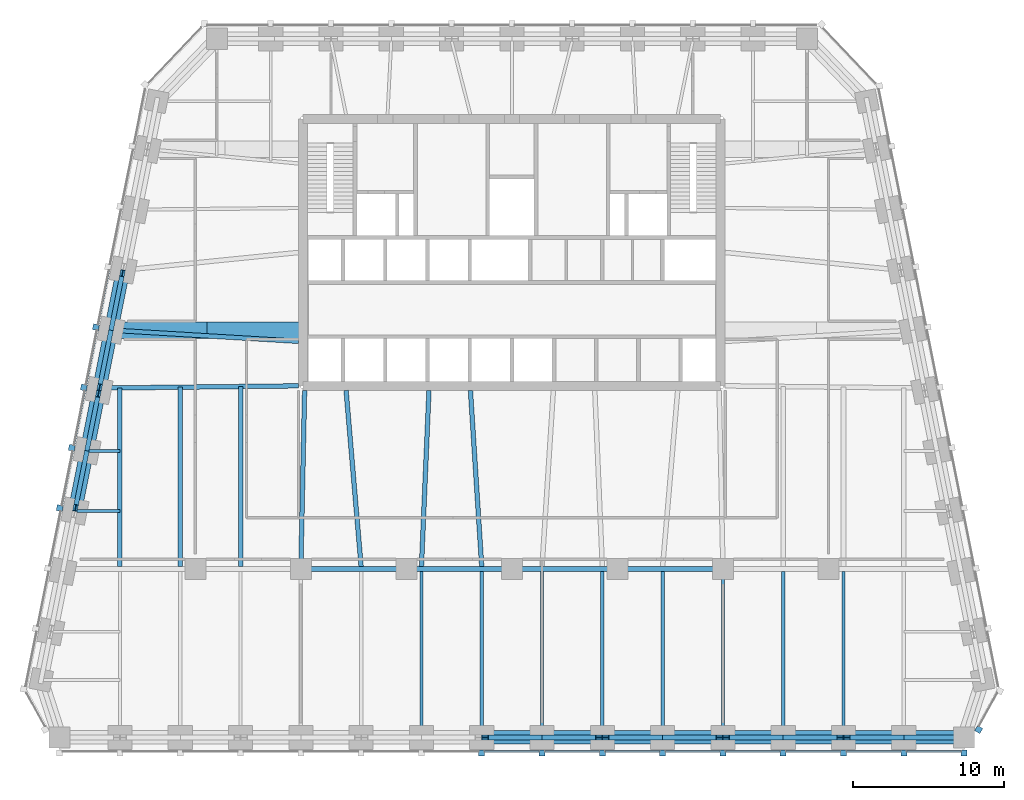
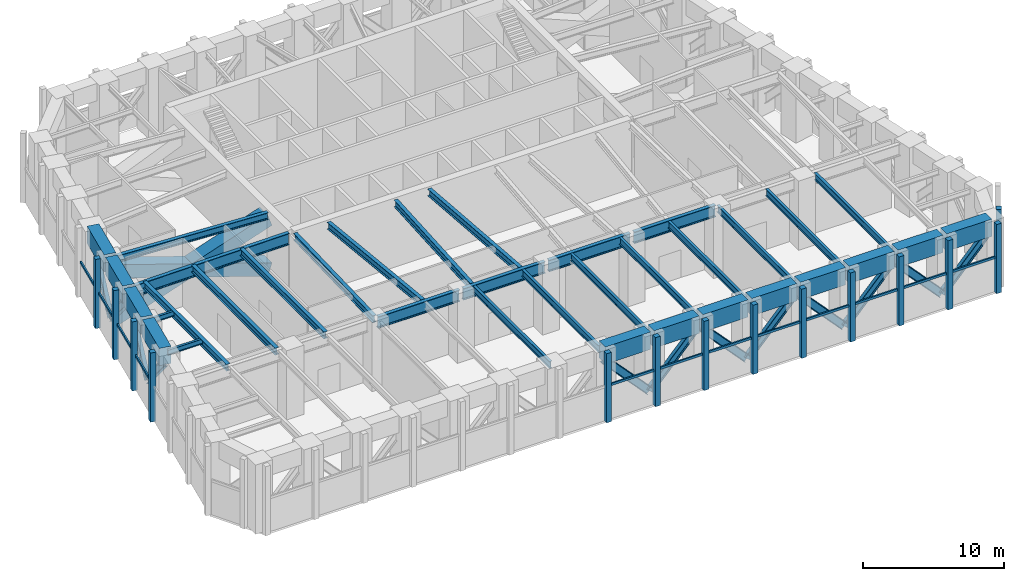
# One storey, part 2 of 9: 40 members, 35 beams, 3 elements without a shape of their own.
"""IFC4 building model written with IfcOpenShell, lengths in metres."""

from ifc_helpers import new_model, si_unit, direction, frame, origin, origin_2d, place, context, subcontext, project, spatial, rectangle, hollow_rectangle, i_section, extrude, material, material_profile, profile_set, type_object, element, aggregate, save


model = new_model("IFC4")

# Units and contexts
model_context = context("Model", 3, precision=1e-05, world=origin(), true_north=direction((0.0, 1.0)))
body_context = subcontext(model_context, "Body", "Model", "MODEL_VIEW")
ifc_project = project(units=[si_unit("LENGTHUNIT", "METRE"), si_unit("AREAUNIT", "SQUARE_METRE"), si_unit("VOLUMEUNIT", "CUBIC_METRE"), si_unit("PLANEANGLEUNIT", "RADIAN"), si_unit("MASSUNIT", "GRAM", prefix="KILO")], contexts=[model_context])

# Site, building, storey
site_placement = place(None, origin())
site = spatial("IfcSite", under=ifc_project, at=site_placement, CompositionType="ELEMENT")
building_placement = place(site_placement, origin())
building = spatial("IfcBuilding", under=site, at=building_placement, Name="Isbrekke Arena Tower", CompositionType="ELEMENT")
storey_placement = place(building_placement, frame((0.0, 0.0, 242.0)))
storey = spatial("IfcBuildingStorey", under=building, at=storey_placement, Name="L56", CompositionType="ELEMENT", Elevation=242.0)

# Beams
ifc_material_1 = material(Name="Steel S355", Category="steel")
ifc_material_profile_1 = material_profile(ifc_material_1, i_section(OverallWidth=0.219970703125, OverallDepth=0.60009765625, WebThickness=0.011962890625, FlangeThickness=0.01904296875, FilletRadius=0.02392578125, at=origin_2d()), Name="IPE 600")
ifc_profile_set_1 = profile_set([ifc_material_profile_1], Name="Steel S355")
beam_type_1 = type_object("IfcBeamType", Name="B1 IPE 600", PredefinedType="BEAM", material=ifc_profile_set_1)
for number, where, z_axis, x_axis, name in (
    (1, (-6.0, -17.02490234375, 5.550048828125), (0.0, 1.0, 0.0), (-1.0, 0.0, 0.0), "B1 beam S-S07 L56"),
    (2, (-2.0, -17.02490234375, 5.550048828125), (0.0, 1.0, 0.0), (-1.0, 0.0, 0.0), "B1 beam S-S08 L56"),
    (3, (2.0, -17.02490234375, 5.550048828125), (0.0, 1.0, 0.0), (-1.0, 0.0, 0.0), "B1 beam S-S09 L56"),
    (4, (6.0, -17.02490234375, 5.550048828125), (0.0, 1.0, 0.0), (-1.0, 0.0, 0.0), "B1 beam S-S10 L56"),
    (5, (10.0, -17.02490234375, 5.550048828125), (0.0, 1.0, 0.0), (-1.0, 0.0, 0.0), "B1 beam S-S11 L56"),
):
    element("IfcBeam", number, at=place(storey_placement, frame(where, z_axis=z_axis, x_axis=x_axis)), inside=storey, type_object=beam_type_1, Name=name, PredefinedType="BEAM", context=body_context, shape_type="SweptSolid", body=[
        extrude(i_section(OverallWidth=0.219970703125, OverallDepth=0.60009765625, WebThickness=0.011962890625, FlangeThickness=0.01904296875, FilletRadius=0.02392578125, at=origin_2d()), origin(), (0.0, 0.0, 1.0), 10.8740234375),
    ])
beam_1_placement = place(storey_placement, frame((14.0, -17.02490234375, 5.550048828125), z_axis=(0.0, 1.0, 0.0), x_axis=(-1.0, 0.0, 0.0)))
element("IfcBeam", 6, at=beam_1_placement, inside=storey, type_object=beam_type_1, Name="B1 beam S-S12 L56", PredefinedType="BEAM", context=body_context, shape_type="SweptSolid", body=[
    extrude(i_section(OverallWidth=0.219970703125, OverallDepth=0.60009765625, WebThickness=0.011962890625, FlangeThickness=0.01904296875, FilletRadius=0.02392578125, at=origin_2d()), origin(), (0.0, 0.0, 1.0), 10.875),
])
for number, where, z_axis, x_axis, name in (
    (7, (18.0, -17.02490234375, 5.550048828125), (0.0, 1.0, 0.0), (-1.0, 0.0, 0.0), "B1 beam S-S13 L56"),
    (8, (22.0, -17.02490234375, 5.550048828125), (0.0, 1.0, 0.0), (-1.0, 0.0, 0.0), "B1 beam S-S14 L56"),
):
    element("IfcBeam", number, at=place(storey_placement, frame(where, z_axis=z_axis, x_axis=x_axis)), inside=storey, type_object=beam_type_1, Name=name, PredefinedType="BEAM", context=body_context, shape_type="SweptSolid", body=[
        extrude(i_section(OverallWidth=0.219970703125, OverallDepth=0.60009765625, WebThickness=0.011962890625, FlangeThickness=0.01904296875, FilletRadius=0.02392578125, at=origin_2d()), origin(), (0.0, 0.0, 1.0), 10.8740234375),
    ])
ifc_material_2 = material(Name="Steel S355", Category="steel")
ifc_material_profile_2 = material_profile(ifc_material_2, i_section(OverallWidth=0.18994140625, OverallDepth=0.449951171875, WebThickness=0.009521484375, FlangeThickness=0.0146484375, FilletRadius=0.02099609375, at=origin_2d()), Name="IPE 450")
ifc_profile_set_2 = profile_set([ifc_material_profile_2], Name="Steel S355")
beam_type_2 = type_object("IfcBeamType", Name="B2 IPE 450", PredefinedType="BEAM", material=ifc_profile_set_2)
beam_2_placement = place(storey_placement, frame((-28.041015625, 1.838134765625, 5.625), z_axis=(1.0, 0.0, 0.0), x_axis=(0.0, 1.0, 0.0)))
element("IfcBeam", 9, at=beam_2_placement, inside=storey, type_object=beam_type_2, Name="B2 beam E-W07 L56", PredefinedType="BEAM", context=body_context, shape_type="SweptSolid", body=[
    extrude(i_section(OverallWidth=0.18994140625, OverallDepth=0.449951171875, WebThickness=0.009521484375, FlangeThickness=0.0146484375, FilletRadius=0.02099609375, at=origin_2d()), origin(), (0.0, 0.0, 1.0), 2.041015625),
])
beam_3_placement = place(storey_placement, frame((-28.841064453125, -2.161865234375, 5.625), z_axis=(1.0, 0.0, 0.0), x_axis=(0.0, 1.0, 0.0)))
element("IfcBeam", 10, at=beam_3_placement, inside=storey, type_object=beam_type_2, Name="B2 beam E-W08 L56", PredefinedType="BEAM", context=body_context, shape_type="SweptSolid", body=[
    extrude(i_section(OverallWidth=0.18994140625, OverallDepth=0.449951171875, WebThickness=0.009521484375, FlangeThickness=0.0146484375, FilletRadius=0.02099609375, at=origin_2d()), origin(), (0.0, 0.0, 1.0), 2.841064453125),
])
ifc_material_3 = material(Name="Steel S355", Category="steel")
ifc_material_profile_3 = material_profile(ifc_material_3, i_section(OverallWidth=0.300048828125, OverallDepth=0.60009765625, WebThickness=0.015380859375, FlangeThickness=0.030029296875, FilletRadius=0.027099609375, at=origin_2d()), Name="HEB 600")
ifc_profile_set_3 = profile_set([ifc_material_profile_3], Name="Steel S355")
beam_type_3 = type_object("IfcBeamType", Name="B7 HEB 600", PredefinedType="BEAM", material=ifc_profile_set_3)
beam_4_placement = place(storey_placement, frame((-26.0, -5.84912109375, 5.550048828125), z_axis=(0.0, 1.0, 0.0), x_axis=(-1.0, 0.0, 0.0)))
element("IfcBeam", 11, at=beam_4_placement, inside=storey, type_object=beam_type_3, Name="B7 beam C-M01 L56", PredefinedType="BEAM", context=body_context, shape_type="SweptSolid", body=[
    extrude(i_section(OverallWidth=0.300048828125, OverallDepth=0.60009765625, WebThickness=0.015380859375, FlangeThickness=0.030029296875, FilletRadius=0.027099609375, at=origin_2d()), origin(), (0.0, 0.0, 1.0), 11.864990234375),
])
beam_5_placement = place(storey_placement, frame((-22.0, -5.84912109375, 5.550048828125), z_axis=(0.0, 1.0, 0.0), x_axis=(-1.0, 0.0, 0.0)))
element("IfcBeam", 12, at=beam_5_placement, inside=storey, type_object=beam_type_3, Name="B7 beam C-M02 L56", PredefinedType="BEAM", context=body_context, shape_type="SweptSolid", body=[
    extrude(i_section(OverallWidth=0.300048828125, OverallDepth=0.60009765625, WebThickness=0.015380859375, FlangeThickness=0.030029296875, FilletRadius=0.027099609375, at=origin_2d()), origin(), (0.0, 0.0, 1.0), 11.91015625),
])
beam_6_placement = place(storey_placement, frame((-18.0, -5.84912109375, 5.550048828125), z_axis=(0.0, 1.0, 0.0), x_axis=(-1.0, 0.0, 0.0)))
element("IfcBeam", 13, at=beam_6_placement, inside=storey, type_object=beam_type_3, Name="B7 beam C-M03 L56", PredefinedType="BEAM", context=body_context, shape_type="SweptSolid", body=[
    extrude(i_section(OverallWidth=0.300048828125, OverallDepth=0.60009765625, WebThickness=0.015380859375, FlangeThickness=0.030029296875, FilletRadius=0.027099609375, at=origin_2d()), origin(), (0.0, 0.0, 1.0), 11.95556640625),
])
beam_7_placement = place(storey_placement, frame((-14.0, -5.8466796875, 5.550048828125), z_axis=(0.021368528218, 0.999771666933, 0.0), x_axis=(-0.999771666933, 0.021368528218, 0.0)))
element("IfcBeam", 14, at=beam_7_placement, inside=storey, type_object=beam_type_3, Name="B7 beam C-M04 L56", PredefinedType="BEAM", context=body_context, shape_type="SweptSolid", body=[
    extrude(i_section(OverallWidth=0.300048828125, OverallDepth=0.60009765625, WebThickness=0.015380859375, FlangeThickness=0.030029296875, FilletRadius=0.027099609375, at=origin_2d()), origin(), (0.0, 0.0, 1.0), 11.699462890625),
])
beam_8_placement = place(storey_placement, frame((-10.0009765625, -5.836181640625, 5.550048828125), z_axis=(-0.085176202372, 0.996365903948, 0.0), x_axis=(-0.996365903948, -0.085176202372, 0.0)))
element("IfcBeam", 15, at=beam_8_placement, inside=storey, type_object=beam_type_3, Name="B7 beam C-M05 L56", PredefinedType="BEAM", context=body_context, shape_type="SweptSolid", body=[
    extrude(i_section(OverallWidth=0.300048828125, OverallDepth=0.60009765625, WebThickness=0.015380859375, FlangeThickness=0.030029296875, FilletRadius=0.027099609375, at=origin_2d()), origin(), (0.0, 0.0, 1.0), 11.72900390625),
])
beam_9_placement = place(storey_placement, frame((-5.999755859375, -5.842529296875, 5.550048828125), z_axis=(0.042702124015, 0.999087848292, 0.0), x_axis=(-0.999087848292, 0.042702124015, 0.0)))
element("IfcBeam", 16, at=beam_9_placement, inside=storey, type_object=beam_type_3, Name="B7 beam C-M06 L56", PredefinedType="BEAM", context=body_context, shape_type="SweptSolid", body=[
    extrude(i_section(OverallWidth=0.300048828125, OverallDepth=0.60009765625, WebThickness=0.015380859375, FlangeThickness=0.030029296875, FilletRadius=0.027099609375, at=origin_2d()), origin(), (0.0, 0.0, 1.0), 11.703369140625),
])
beam_10_placement = place(storey_placement, frame((-2.000732421875, -5.83935546875, 5.550048828125), z_axis=(-0.063966475255, 0.997952047968, 0.0), x_axis=(-0.997952047968, -0.063966475255, 0.0)))
element("IfcBeam", 17, at=beam_10_placement, inside=storey, type_object=beam_type_3, Name="B7 beam C-M07 L56", PredefinedType="BEAM", context=body_context, shape_type="SweptSolid", body=[
    extrude(i_section(OverallWidth=0.300048828125, OverallDepth=0.60009765625, WebThickness=0.015380859375, FlangeThickness=0.030029296875, FilletRadius=0.027099609375, at=origin_2d()), origin(), (0.0, 0.0, 1.0), 11.71337890625),
])
beam_11_placement = place(storey_placement, frame((-26.43212890625, 9.837646484375, 5.550048828125), z_axis=(0.998201854902, -0.059942112659, 0.0), x_axis=(0.059942112659, 0.998201854902, 0.0)))
element("IfcBeam", 18, at=beam_11_placement, inside=storey, type_object=beam_type_3, Name="B7 beam E-W05 L56", PredefinedType="BEAM", context=body_context, shape_type="SweptSolid", body=[
    extrude(i_section(OverallWidth=0.300048828125, OverallDepth=0.60009765625, WebThickness=0.015380859375, FlangeThickness=0.030029296875, FilletRadius=0.027099609375, at=origin_2d()), origin(), (0.0, 0.0, 1.0), 12.304443359375),
])

# Members
ifc_material_4 = material(Name="Steel S355", Category="steel")
ifc_material_profile_4 = material_profile(ifc_material_4, i_section(OverallWidth=0.304931640625, OverallDepth=0.6201171875, WebThickness=0.02099609375, FlangeThickness=0.0400390625, FilletRadius=0.027099609375, at=origin_2d()), Name="HEM 600")
ifc_profile_set_4 = profile_set([ifc_material_profile_4], Name="Steel S355")
member_type_1 = type_object("IfcMemberType", Name="BT1 HEM 600", PredefinedType="BRACE", material=ifc_profile_set_4)
for number, where, z_axis, x_axis, name in (
    (19, (-1.781982421875, -17.175048828125, 4.66552734375), (0.681122032107, 0.0, -0.732169910183), (0.0, 1.0, 0.0), "BT1 belt truss diagonal S08 L56"),
    (20, (2.0, -17.175048828125, 0.60009765625), (0.681122032107, 0.0, 0.732169910183), (0.0, 1.0, 0.0), "BT1 belt truss diagonal S09 L56"),
    (21, (6.218017578125, -17.175048828125, 4.66552734375), (0.681122032107, 0.0, -0.732169910183), (0.0, 1.0, 0.0), "BT1 belt truss diagonal S10 L56"),
    (22, (10.0, -17.175048828125, 0.60009765625), (0.681122032107, 0.0, 0.732169910183), (0.0, 1.0, 0.0), "BT1 belt truss diagonal S11 L56"),
    (23, (14.218017578125, -17.175048828125, 4.66552734375), (0.681122032107, 0.0, -0.732169910183), (0.0, 1.0, 0.0), "BT1 belt truss diagonal S12 L56"),
    (24, (18.0, -17.175048828125, 0.60009765625), (0.681122032107, 0.0, 0.732169910183), (0.0, 1.0, 0.0), "BT1 belt truss diagonal S13 L56"),
    (25, (22.218017578125, -17.175048828125, 4.66552734375), (0.681122032107, 0.0, -0.732169910183), (0.0, 1.0, 0.0), "BT1 belt truss diagonal S14 L56"),
    (26, (26.0, -17.175048828125, 0.60009765625), (0.681122032107, 0.0, 0.732169910183), (0.0, 1.0, 0.0), "BT1 belt truss diagonal S15 L56"),
):
    element("IfcMember", number, at=place(storey_placement, frame(where, z_axis=z_axis, x_axis=x_axis)), inside=storey, type_object=member_type_1, Name=name, PredefinedType="BRACE", context=body_context, shape_type="SweptSolid", body=[
        extrude(i_section(OverallWidth=0.304931640625, OverallDepth=0.6201171875, WebThickness=0.02099609375, FlangeThickness=0.0400390625, FilletRadius=0.027099609375, at=origin_2d()), origin(), (0.0, 0.0, 1.0), 5.552490234375),
    ])
for number, where, z_axis, x_axis, name in (
    (27, (-25.833984375, 13.62353515625, 4.66943359375), (-0.134973713861, -0.674868569303, -0.725489152734), (0.980580675691, -0.196116135138, 0.0), "BT1 belt truss diagonal W04 L56"),
    (28, (-26.591064453125, 9.838134765625, 0.60009765625), (-0.134973713861, -0.674868569303, 0.725489152734), (0.980580675691, -0.196116135138, 0.0), "BT1 belt truss diagonal W05 L56"),
    (29, (-27.433837890625, 5.62353515625, 4.66943359375), (-0.134973713861, -0.674868569303, -0.725489152734), (0.980580675691, -0.196116135138, 0.0), "BT1 belt truss diagonal W06 L56"),
    (30, (-28.19091796875, 1.838134765625, 0.60009765625), (-0.134973713861, -0.674868569303, 0.725489152734), (0.980580675691, -0.196116135138, 0.0), "BT1 belt truss diagonal W07 L56"),
):
    element("IfcMember", number, at=place(storey_placement, frame(where, z_axis=z_axis, x_axis=x_axis)), inside=storey, type_object=member_type_1, Name=name, PredefinedType="BRACE", context=body_context, shape_type="SweptSolid", body=[
        extrude(i_section(OverallWidth=0.304931640625, OverallDepth=0.6201171875, WebThickness=0.02099609375, FlangeThickness=0.0400390625, FilletRadius=0.027099609375, at=origin_2d()), origin(), (0.0, 0.0, 1.0), 5.609130859375),
    ])

# Curtain wall, members
ifc_material_5 = material(Name="Glazed aluminium curtain wall", Category="aluminium")
curtain_wall_type = type_object("IfcCurtainWallType", Name="CWR PLANT LOUVRE WALL", PredefinedType="USERDEFINED", material=ifc_material_5)
curtain_wall_1_placement = place(storey_placement, origin())
curtain_wall_1 = element("IfcCurtainWall", 31, at=curtain_wall_1_placement, inside=storey, type_object=curtain_wall_type, Name="CWR curtain wall L56-S", ObjectType="PLANT LOUVRE WALL", PredefinedType="USERDEFINED")
ifc_material_6 = material(Name="Aluminium mullion, pale brick slip cladding", Category="masonry")
ifc_material_profile_5 = material_profile(ifc_material_6, rectangle(XDim=0.39990234375, YDim=0.39990234375, at=origin_2d()), Name="PIER 400X400")
ifc_profile_set_5 = profile_set([ifc_material_profile_5], Name="Aluminium mullion, pale brick slip cladding")
member_type_2 = type_object("IfcMemberType", Name="CWR-M PIER MULLION 400 x 400", PredefinedType="MULLION", material=ifc_profile_set_5)
member_1_placement = place(storey_placement, frame((-2.0, -18.199951171875, 0.0), z_axis=(0.0, 0.0, 1.0), x_axis=(1.0, 0.0, 0.0)))
member_1 = element("IfcMember", 32, at=member_1_placement, type_object=member_type_2, Name="CWR-M mullion 8", PredefinedType="MULLION", context=body_context, shape_type="SweptSolid", body=[
    extrude(rectangle(XDim=0.39990234375, YDim=0.39990234375, at=origin_2d()), origin(), (0.0, 0.0, 1.0), 6.0),
])
member_2_placement = place(storey_placement, frame((2.0, -18.199951171875, 0.0), z_axis=(0.0, 0.0, 1.0), x_axis=(1.0, 0.0, 0.0)))
member_2 = element("IfcMember", 33, at=member_2_placement, type_object=member_type_2, Name="CWR-M mullion 9", PredefinedType="MULLION", context=body_context, shape_type="SweptSolid", body=[
    extrude(rectangle(XDim=0.39990234375, YDim=0.39990234375, at=origin_2d()), origin(), (0.0, 0.0, 1.0), 6.0),
])
member_3_placement = place(storey_placement, frame((6.0, -18.199951171875, 0.0), z_axis=(0.0, 0.0, 1.0), x_axis=(1.0, 0.0, 0.0)))
member_3 = element("IfcMember", 34, at=member_3_placement, type_object=member_type_2, Name="CWR-M mullion 10", PredefinedType="MULLION", context=body_context, shape_type="SweptSolid", body=[
    extrude(rectangle(XDim=0.39990234375, YDim=0.39990234375, at=origin_2d()), origin(), (0.0, 0.0, 1.0), 6.0),
])
member_4_placement = place(storey_placement, frame((10.0, -18.199951171875, 0.0), z_axis=(0.0, 0.0, 1.0), x_axis=(1.0, 0.0, 0.0)))
member_4 = element("IfcMember", 35, at=member_4_placement, type_object=member_type_2, Name="CWR-M mullion 11", PredefinedType="MULLION", context=body_context, shape_type="SweptSolid", body=[
    extrude(rectangle(XDim=0.39990234375, YDim=0.39990234375, at=origin_2d()), origin(), (0.0, 0.0, 1.0), 6.0),
])
member_5_placement = place(storey_placement, frame((14.0, -18.199951171875, 0.0), z_axis=(0.0, 0.0, 1.0), x_axis=(1.0, 0.0, 0.0)))
member_5 = element("IfcMember", 36, at=member_5_placement, type_object=member_type_2, Name="CWR-M mullion 12", PredefinedType="MULLION", context=body_context, shape_type="SweptSolid", body=[
    extrude(rectangle(XDim=0.39990234375, YDim=0.39990234375, at=origin_2d()), origin(), (0.0, 0.0, 1.0), 6.0),
])
member_6_placement = place(storey_placement, frame((18.0, -18.199951171875, 0.0), z_axis=(0.0, 0.0, 1.0), x_axis=(1.0, 0.0, 0.0)))
member_6 = element("IfcMember", 37, at=member_6_placement, type_object=member_type_2, Name="CWR-M mullion 13", PredefinedType="MULLION", context=body_context, shape_type="SweptSolid", body=[
    extrude(rectangle(XDim=0.39990234375, YDim=0.39990234375, at=origin_2d()), origin(), (0.0, 0.0, 1.0), 6.0),
])
member_7_placement = place(storey_placement, frame((22.0, -18.199951171875, 0.0), z_axis=(0.0, 0.0, 1.0), x_axis=(1.0, 0.0, 0.0)))
member_7 = element("IfcMember", 38, at=member_7_placement, type_object=member_type_2, Name="CWR-M mullion 14", PredefinedType="MULLION", context=body_context, shape_type="SweptSolid", body=[
    extrude(rectangle(XDim=0.39990234375, YDim=0.39990234375, at=origin_2d()), origin(), (0.0, 0.0, 1.0), 6.0),
])
member_8_placement = place(storey_placement, frame((26.0, -18.199951171875, 0.0), z_axis=(0.0, 0.0, 1.0), x_axis=(1.0, 0.0, 0.0)))
member_8 = element("IfcMember", 39, at=member_8_placement, type_object=member_type_2, Name="CWR-M mullion 15", PredefinedType="MULLION", context=body_context, shape_type="SweptSolid", body=[
    extrude(rectangle(XDim=0.39990234375, YDim=0.39990234375, at=origin_2d()), origin(), (0.0, 0.0, 1.0), 6.0),
])
member_9_placement = place(storey_placement, frame((30.0, -18.199951171875, 0.0), z_axis=(0.0, 0.0, 1.0), x_axis=(1.0, 0.0, 0.0)))
member_9 = element("IfcMember", 40, at=member_9_placement, type_object=member_type_2, Name="CWR-M mullion 16", PredefinedType="MULLION", context=body_context, shape_type="SweptSolid", body=[
    extrude(rectangle(XDim=0.39990234375, YDim=0.39990234375, at=origin_2d()), origin(), (0.0, 0.0, 1.0), 6.0),
])

# Curtain wall, member
curtain_wall_2_placement = place(storey_placement, origin())
curtain_wall_2 = element("IfcCurtainWall", 41, at=curtain_wall_2_placement, inside=storey, type_object=curtain_wall_type, Name="CWR curtain wall L56-SE", ObjectType="PLANT LOUVRE WALL", PredefinedType="USERDEFINED")
member_10_placement = place(storey_placement, frame((30.96923828125, -16.652587890625, 0.0), z_axis=(0.0, 0.0, 1.0), x_axis=(0.481918749773, 0.876215908676, 0.0)))
member_10 = element("IfcMember", 42, at=member_10_placement, type_object=member_type_2, Name="CWR-M mullion 1", PredefinedType="MULLION", context=body_context, shape_type="SweptSolid", body=[
    extrude(rectangle(XDim=0.39990234375, YDim=0.39990234375, at=origin_2d()), origin(), (0.0, 0.0, 1.0), 6.0),
])
aggregate(curtain_wall_2, [member_10])

# Curtain wall, members
curtain_wall_3_placement = place(storey_placement, origin())
curtain_wall_3 = element("IfcCurtainWall", 43, at=curtain_wall_3_placement, inside=storey, type_object=curtain_wall_type, Name="CWR curtain wall L56-W", ObjectType="PLANT LOUVRE WALL", PredefinedType="USERDEFINED")
member_11_placement = place(storey_placement, frame((-27.59619140625, 10.039306640625, 0.0), z_axis=(0.0, 0.0, 1.0), x_axis=(-0.196116135138, -0.980580675691, 0.0)))
member_11 = element("IfcMember", 44, at=member_11_placement, type_object=member_type_2, Name="CWR-M mullion 4", PredefinedType="MULLION", context=body_context, shape_type="SweptSolid", body=[
    extrude(rectangle(XDim=0.39990234375, YDim=0.39990234375, at=origin_2d()), origin(), (0.0, 0.0, 1.0), 6.0),
])
member_12_placement = place(storey_placement, frame((-28.39599609375, 6.039306640625, 0.0), z_axis=(0.0, 0.0, 1.0), x_axis=(-0.196116135138, -0.980580675691, 0.0)))
member_12 = element("IfcMember", 45, at=member_12_placement, type_object=member_type_2, Name="CWR-M mullion 5", PredefinedType="MULLION", context=body_context, shape_type="SweptSolid", body=[
    extrude(rectangle(XDim=0.39990234375, YDim=0.39990234375, at=origin_2d()), origin(), (0.0, 0.0, 1.0), 6.0),
])
member_13_placement = place(storey_placement, frame((-29.196044921875, 2.039306640625, 0.0), z_axis=(0.0, 0.0, 1.0), x_axis=(-0.196116135138, -0.980580675691, 0.0)))
member_13 = element("IfcMember", 46, at=member_13_placement, type_object=member_type_2, Name="CWR-M mullion 6", PredefinedType="MULLION", context=body_context, shape_type="SweptSolid", body=[
    extrude(rectangle(XDim=0.39990234375, YDim=0.39990234375, at=origin_2d()), origin(), (0.0, 0.0, 1.0), 6.0),
])
member_14_placement = place(storey_placement, frame((-29.99609375, -1.960693359375, 0.0), z_axis=(0.0, 0.0, 1.0), x_axis=(-0.196116135138, -0.980580675691, 0.0)))
member_14 = element("IfcMember", 47, at=member_14_placement, type_object=member_type_2, Name="CWR-M mullion 7", PredefinedType="MULLION", context=body_context, shape_type="SweptSolid", body=[
    extrude(rectangle(XDim=0.39990234375, YDim=0.39990234375, at=origin_2d()), origin(), (0.0, 0.0, 1.0), 6.0),
])

# Member
ifc_material_7 = material(Name="Aluminium transom", Category="aluminium")
ifc_material_profile_6 = material_profile(ifc_material_7, rectangle(XDim=0.1201171875, YDim=0.199951171875, at=origin_2d()), Name="TRANSOM 120X200")
ifc_profile_set_6 = profile_set([ifc_material_profile_6], Name="Aluminium transom")
member_type_3 = type_object("IfcMemberType", Name="CWR-T TRANSOM 120 x 200", PredefinedType="USERDEFINED", material=ifc_profile_set_6)
member_15_placement = place(storey_placement, frame((-1.800048828125, -18.10009765625, 3.0), z_axis=(1.0, 0.0, 0.0), x_axis=(0.0, 1.0, 0.0)))
member_15 = element("IfcMember", 48, at=member_15_placement, type_object=member_type_3, Name="CWR-T transom 8", ObjectType="TRANSOM", PredefinedType="USERDEFINED", context=body_context, shape_type="SweptSolid", body=[
    extrude(rectangle(XDim=0.1201171875, YDim=0.199951171875, at=origin_2d()), origin(), (0.0, 0.0, 1.0), 3.60009765625),
])

member_16_placement = place(storey_placement, frame((2.199951171875, -18.10009765625, 3.0), z_axis=(1.0, 0.0, 0.0), x_axis=(0.0, 1.0, 0.0)))
member_16 = element("IfcMember", 49, at=member_16_placement, type_object=member_type_3, Name="CWR-T transom 9", ObjectType="TRANSOM", PredefinedType="USERDEFINED", context=body_context, shape_type="SweptSolid", body=[
    extrude(rectangle(XDim=0.1201171875, YDim=0.199951171875, at=origin_2d()), origin(), (0.0, 0.0, 1.0), 3.60009765625),
])

member_17_placement = place(storey_placement, frame((6.199951171875, -18.10009765625, 3.0), z_axis=(1.0, 0.0, 0.0), x_axis=(0.0, 1.0, 0.0)))
member_17 = element("IfcMember", 50, at=member_17_placement, type_object=member_type_3, Name="CWR-T transom 10", ObjectType="TRANSOM", PredefinedType="USERDEFINED", context=body_context, shape_type="SweptSolid", body=[
    extrude(rectangle(XDim=0.1201171875, YDim=0.199951171875, at=origin_2d()), origin(), (0.0, 0.0, 1.0), 3.60009765625),
])

member_18_placement = place(storey_placement, frame((10.199951171875, -18.10009765625, 3.0), z_axis=(1.0, 0.0, 0.0), x_axis=(0.0, 1.0, 0.0)))
member_18 = element("IfcMember", 51, at=member_18_placement, type_object=member_type_3, Name="CWR-T transom 11", ObjectType="TRANSOM", PredefinedType="USERDEFINED", context=body_context, shape_type="SweptSolid", body=[
    extrude(rectangle(XDim=0.1201171875, YDim=0.199951171875, at=origin_2d()), origin(), (0.0, 0.0, 1.0), 3.60009765625),
])

member_19_placement = place(storey_placement, frame((14.199951171875, -18.10009765625, 3.0), z_axis=(1.0, 0.0, 0.0), x_axis=(0.0, 1.0, 0.0)))
member_19 = element("IfcMember", 52, at=member_19_placement, type_object=member_type_3, Name="CWR-T transom 12", ObjectType="TRANSOM", PredefinedType="USERDEFINED", context=body_context, shape_type="SweptSolid", body=[
    extrude(rectangle(XDim=0.1201171875, YDim=0.199951171875, at=origin_2d()), origin(), (0.0, 0.0, 1.0), 3.60009765625),
])

member_20_placement = place(storey_placement, frame((18.199951171875, -18.10009765625, 3.0), z_axis=(1.0, 0.0, 0.0), x_axis=(0.0, 1.0, 0.0)))
member_20 = element("IfcMember", 53, at=member_20_placement, type_object=member_type_3, Name="CWR-T transom 13", ObjectType="TRANSOM", PredefinedType="USERDEFINED", context=body_context, shape_type="SweptSolid", body=[
    extrude(rectangle(XDim=0.1201171875, YDim=0.199951171875, at=origin_2d()), origin(), (0.0, 0.0, 1.0), 3.60009765625),
])

member_21_placement = place(storey_placement, frame((22.199951171875, -18.10009765625, 3.0), z_axis=(1.0, 0.0, 0.0), x_axis=(0.0, 1.0, 0.0)))
member_21 = element("IfcMember", 54, at=member_21_placement, type_object=member_type_3, Name="CWR-T transom 14", ObjectType="TRANSOM", PredefinedType="USERDEFINED", context=body_context, shape_type="SweptSolid", body=[
    extrude(rectangle(XDim=0.1201171875, YDim=0.199951171875, at=origin_2d()), origin(), (0.0, 0.0, 1.0), 3.60009765625),
])

member_22_placement = place(storey_placement, frame((26.199951171875, -18.10009765625, 3.0), z_axis=(1.0, 0.0, 0.0), x_axis=(0.0, 1.0, 0.0)))
member_22 = element("IfcMember", 55, at=member_22_placement, type_object=member_type_3, Name="CWR-T transom 15", ObjectType="TRANSOM", PredefinedType="USERDEFINED", context=body_context, shape_type="SweptSolid", body=[
    extrude(rectangle(XDim=0.1201171875, YDim=0.199951171875, at=origin_2d()), origin(), (0.0, 0.0, 1.0), 3.60009765625),
])

aggregate(curtain_wall_1, [member_1, member_2, member_3, member_4, member_5, member_6, member_7, member_8, member_9, member_15, member_16, member_17, member_18, member_19, member_20, member_21, member_22])

member_23_placement = place(storey_placement, frame((-26.7373046875, 13.823486328125, 3.0), z_axis=(-0.19609061241, -0.980585779891, 0.0), x_axis=(0.980585779891, -0.19609061241, 0.0)))
member_23 = element("IfcMember", 56, at=member_23_placement, type_object=member_type_3, Name="CWR-T transom 4", ObjectType="TRANSOM", PredefinedType="USERDEFINED", context=body_context, shape_type="SweptSolid", body=[
    extrude(rectangle(XDim=0.1201171875, YDim=0.199951171875, at=origin_2d()), origin(), (0.0, 0.0, 1.0), 3.67919921875),
])

member_24_placement = place(storey_placement, frame((-27.537353515625, 9.823486328125, 3.0), z_axis=(-0.19609061241, -0.980585779891, 0.0), x_axis=(0.980585779891, -0.19609061241, 0.0)))
member_24 = element("IfcMember", 57, at=member_24_placement, type_object=member_type_3, Name="CWR-T transom 5", ObjectType="TRANSOM", PredefinedType="USERDEFINED", context=body_context, shape_type="SweptSolid", body=[
    extrude(rectangle(XDim=0.1201171875, YDim=0.199951171875, at=origin_2d()), origin(), (0.0, 0.0, 1.0), 3.67919921875),
])

member_25_placement = place(storey_placement, frame((-28.33740234375, 5.823486328125, 3.0), z_axis=(-0.19609061241, -0.980585779891, 0.0), x_axis=(0.980585779891, -0.19609061241, 0.0)))
member_25 = element("IfcMember", 58, at=member_25_placement, type_object=member_type_3, Name="CWR-T transom 6", ObjectType="TRANSOM", PredefinedType="USERDEFINED", context=body_context, shape_type="SweptSolid", body=[
    extrude(rectangle(XDim=0.1201171875, YDim=0.199951171875, at=origin_2d()), origin(), (0.0, 0.0, 1.0), 3.67919921875),
])

member_26_placement = place(storey_placement, frame((-29.13720703125, 1.823486328125, 3.0), z_axis=(-0.196154418484, -0.980573018245, 0.0), x_axis=(0.980573018245, -0.196154418484, 0.0)))
member_26 = element("IfcMember", 59, at=member_26_placement, type_object=member_type_3, Name="CWR-T transom 7", ObjectType="TRANSOM", PredefinedType="USERDEFINED", context=body_context, shape_type="SweptSolid", body=[
    extrude(rectangle(XDim=0.1201171875, YDim=0.199951171875, at=origin_2d()), origin(), (0.0, 0.0, 1.0), 3.67919921875),
])

aggregate(curtain_wall_3, [member_11, member_12, member_13, member_14, member_23, member_24, member_25, member_26])

# Beams
ifc_material_8 = material(Name="Steel S355", Category="steel")
ifc_material_profile_7 = material_profile(ifc_material_8, i_section(OverallWidth=0.302001953125, OverallDepth=1.008056640625, WebThickness=0.02099609375, FlangeThickness=0.0400390625, FilletRadius=0.030029296875, at=origin_2d()), Name="HEM 1000")
ifc_profile_set_7 = profile_set([ifc_material_profile_7], Name="Steel S355")
beam_type_4 = type_object("IfcBeamType", Name="G1 HEM 1000", PredefinedType="BEAM", material=ifc_profile_set_7)
for number, where, z_axis, x_axis, name in (
    (60, (-13.85009765625, -6.0, 5.345947265625), (1.0, 0.0, 0.0), (0.0, 1.0, 0.0), "G1 beam G1-03 L56"),
    (61, (-6.85009765625, -6.0, 5.345947265625), (1.0, 0.0, 0.0), (0.0, 1.0, 0.0), "G1 beam G1-04 L56"),
    (62, (0.14990234375, -6.0, 5.345947265625), (1.0, 0.0, 0.0), (0.0, 1.0, 0.0), "G1 beam G1-05 L56"),
    (63, (7.14990234375, -6.0, 5.345947265625), (1.0, 0.0, 0.0), (0.0, 1.0, 0.0), "G1 beam G1-06 L56"),
):
    element("IfcBeam", number, at=place(storey_placement, frame(where, z_axis=z_axis, x_axis=x_axis)), inside=storey, type_object=beam_type_4, Name=name, PredefinedType="BEAM", context=body_context, shape_type="SweptSolid", body=[
        extrude(i_section(OverallWidth=0.302001953125, OverallDepth=1.008056640625, WebThickness=0.02099609375, FlangeThickness=0.0400390625, FilletRadius=0.030029296875, at=origin_2d()), origin(), (0.0, 0.0, 1.0), 6.7001953125),
    ])
ifc_material_9 = material(Name="Steel S355", Category="steel")
ifc_material_profile_8 = material_profile(ifc_material_9, i_section(OverallWidth=0.302001953125, OverallDepth=1.008056640625, WebThickness=0.02099609375, FlangeThickness=0.0400390625, FilletRadius=0.030029296875, at=origin_2d()), Name="HEM 1000")
ifc_profile_set_8 = profile_set([ifc_material_profile_8], Name="Steel S355")
beam_type_5 = type_object("IfcBeamType", Name="G2 HEM 1000", PredefinedType="BEAM", material=ifc_profile_set_8)
beam_12_placement = place(storey_placement, frame((-14.14990234375, 6.14990234375, 5.345947265625), z_axis=(-0.999935908299, -0.011321629528, 0.0), x_axis=(0.011321629528, -0.999935908299, 0.0)))
element("IfcBeam", 64, at=beam_12_placement, inside=storey, type_object=beam_type_5, Name="G2 beam G2-W L56", PredefinedType="BEAM", context=body_context, shape_type="SweptSolid", body=[
    extrude(i_section(OverallWidth=0.302001953125, OverallDepth=1.008056640625, WebThickness=0.02099609375, FlangeThickness=0.0400390625, FilletRadius=0.030029296875, at=origin_2d()), origin(), (0.0, 0.0, 1.0), 13.240234375),
])

# Members
ifc_material_10 = material(Name="Steel S460", Category="steel")
ifc_material_profile_9 = material_profile(ifc_material_10, hollow_rectangle(XDim=1.10009765625, YDim=1.10009765625, WallThickness=0.050048828125, at=origin_2d()), Name="BOX 1100x1100x50")
ifc_profile_set_9 = profile_set([ifc_material_profile_9], Name="Steel S460")
member_type_4 = type_object("IfcMemberType", Name="OT1 BOX 1100x1100x50", PredefinedType="BRACE", material=ifc_profile_set_9)
for number, where, z_axis, x_axis, name in (
    (65, (-13.85009765625, 9.838134765625, 0.60009765625), (-0.947498398671, 0.0, 0.319760511189), (0.0, -1.0, 0.0), "OT1 outrigger W L56 1"),
    (66, (-13.85009765625, 9.838134765625, 4.89990234375), (-0.947498398671, 0.0, -0.319760511189), (0.0, -1.0, 0.0), "OT1 outrigger W L56 2"),
):
    element("IfcMember", number, at=place(storey_placement, frame(where, z_axis=z_axis, x_axis=x_axis)), inside=storey, type_object=member_type_4, Name=name, PredefinedType="BRACE", context=body_context, shape_type="SweptSolid", body=[
        extrude(hollow_rectangle(XDim=1.10009765625, YDim=1.10009765625, WallThickness=0.050048828125, at=origin_2d()), origin(), (0.0, 0.0, 1.0), 13.447021484375),
    ])

# Beams
ifc_material_11 = material(Name="Concrete B65 (C65/80)", Category="concrete")
ifc_material_profile_10 = material_profile(ifc_material_11, rectangle(XDim=0.89990234375, YDim=1.5, at=origin_2d()), Name="RC 900x1500")
ifc_profile_set_10 = profile_set([ifc_material_profile_10], Name="Concrete B65 (C65/80)")
beam_type_6 = type_object("IfcBeamType", Name="SB3 RC 900 x 1500", PredefinedType="SPANDREL", material=ifc_profile_set_10)
for number, where, z_axis, x_axis, name in (
    (67, (-1.85009765625, -17.175048828125, 5.25), (1.0, 0.0, 0.0), (0.0, 1.0, 0.0), "SB3 spandrel S08-S09 L56"),
    (68, (2.14990234375, -17.175048828125, 5.25), (1.0, 0.0, 0.0), (0.0, 1.0, 0.0), "SB3 spandrel S09-S10 L56"),
    (69, (6.14990234375, -17.175048828125, 5.25), (1.0, 0.0, 0.0), (0.0, 1.0, 0.0), "SB3 spandrel S10-S11 L56"),
    (70, (10.14990234375, -17.175048828125, 5.25), (1.0, 0.0, 0.0), (0.0, 1.0, 0.0), "SB3 spandrel S11-S12 L56"),
    (71, (14.14990234375, -17.175048828125, 5.25), (1.0, 0.0, 0.0), (0.0, 1.0, 0.0), "SB3 spandrel S12-S13 L56"),
    (72, (18.14990234375, -17.175048828125, 5.25), (1.0, 0.0, 0.0), (0.0, 1.0, 0.0), "SB3 spandrel S13-S14 L56"),
    (73, (22.14990234375, -17.175048828125, 5.25), (1.0, 0.0, 0.0), (0.0, 1.0, 0.0), "SB3 spandrel S14-S15 L56"),
    (74, (26.14990234375, -17.175048828125, 5.25), (1.0, 0.0, 0.0), (0.0, 1.0, 0.0), "SB3 spandrel S15-S16 L56"),
):
    element("IfcBeam", number, at=place(storey_placement, frame(where, z_axis=z_axis, x_axis=x_axis)), inside=storey, type_object=beam_type_6, Name=name, PredefinedType="SPANDREL", context=body_context, shape_type="SweptSolid", body=[
        extrude(rectangle(XDim=0.89990234375, YDim=1.5, at=origin_2d()), origin(), (0.0, 0.0, 1.0), 3.7001953125),
    ])
beam_13_placement = place(storey_placement, frame((-25.820556640625, 13.691162109375, 5.25), z_axis=(-0.1960664412, -0.980590613169, 0.0), x_axis=(0.980590613169, -0.1960664412, 0.0)))
element("IfcBeam", 75, at=beam_13_placement, inside=storey, type_object=beam_type_6, Name="SB3 spandrel W04-W05 L56", PredefinedType="SPANDREL", context=body_context, shape_type="SweptSolid", body=[
    extrude(rectangle(XDim=0.89990234375, YDim=1.5, at=origin_2d()), origin(), (0.0, 0.0, 1.0), 3.779052734375),
])
for number, where, z_axis, x_axis, name in (
    (76, (-26.620361328125, 9.691162109375, 5.25), (-0.196128558387, -0.980578190959, 0.0), (0.980578190959, -0.196128558387, 0.0), "SB3 spandrel W05-W06 L56"),
    (77, (-27.42041015625, 5.691162109375, 5.25), (-0.196128558387, -0.980578190959, 0.0), (0.980578190959, -0.196128558387, 0.0), "SB3 spandrel W06-W07 L56"),
    (78, (-28.220458984375, 1.691162109375, 5.25), (-0.196128558387, -0.980578190959, 0.0), (0.980578190959, -0.196128558387, 0.0), "SB3 spandrel W07-W08 L56"),
):
    element("IfcBeam", number, at=place(storey_placement, frame(where, z_axis=z_axis, x_axis=x_axis)), inside=storey, type_object=beam_type_6, Name=name, PredefinedType="SPANDREL", context=body_context, shape_type="SweptSolid", body=[
        extrude(rectangle(XDim=0.89990234375, YDim=1.5, at=origin_2d()), origin(), (0.0, 0.0, 1.0), 3.779296875),
    ])

save(model, "model.ifc")
